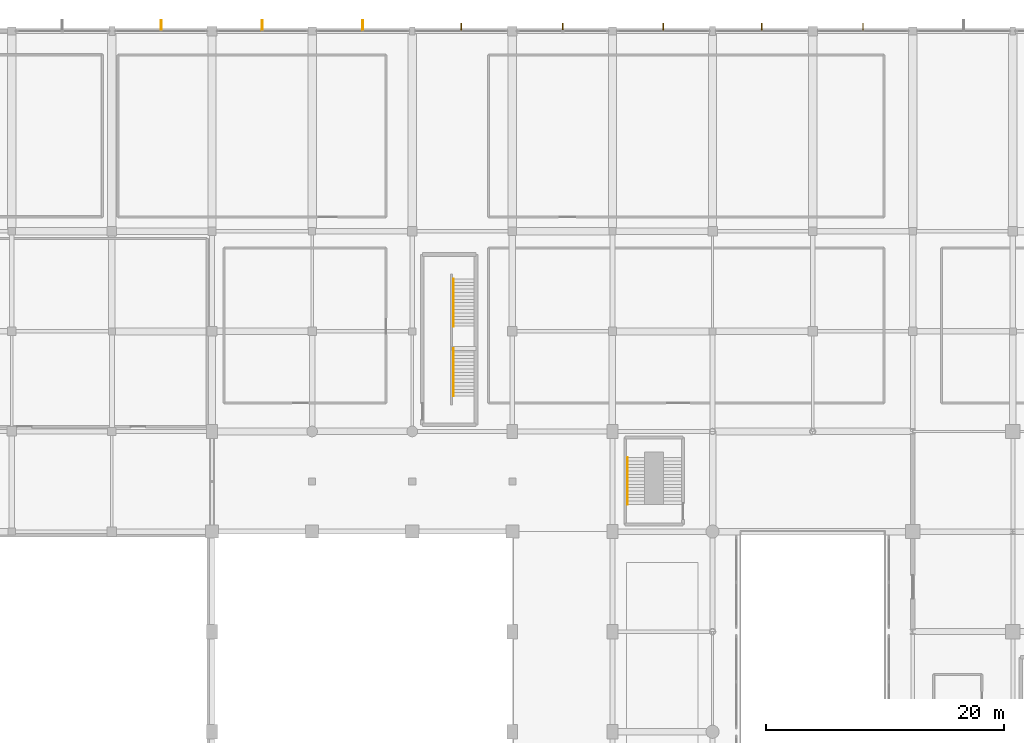
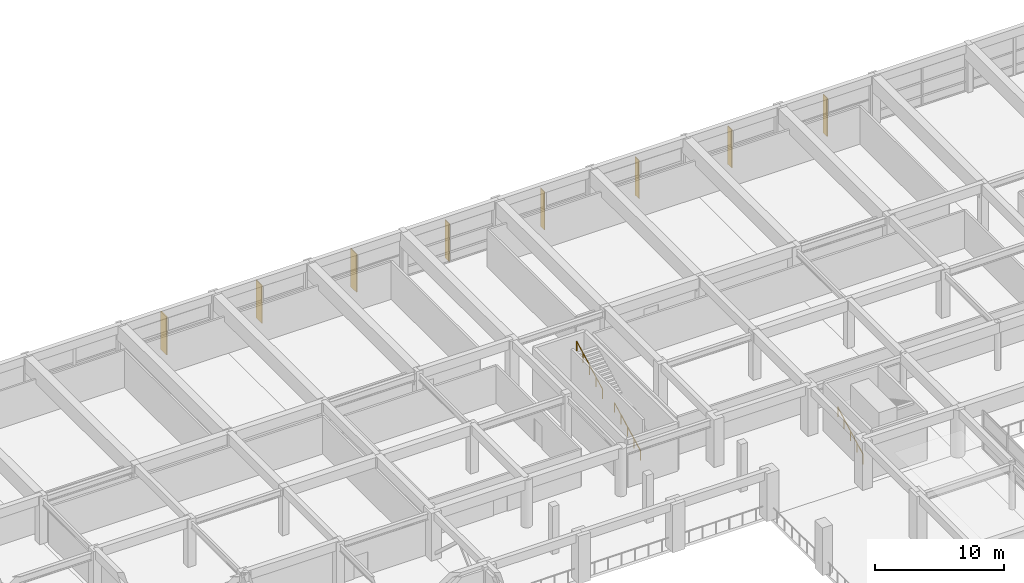
# One storey, part 63 of 65: 8 shading devices, 3 railings.
"""IFC4 building model written with IfcOpenShell, lengths in metres."""

from ifc_helpers import new_model, si_unit, direction, frame, origin, origin_2d, place, context, subcontext, project, spatial, rectangle, circle, extrude, material, type_object, element, save


model = new_model("IFC4")

# Units and contexts
model_context = context("Model", 3, precision=1e-05, world=origin(), true_north=direction((0.0, 1.0)))
body_context = subcontext(model_context, "Body", "Model", "MODEL_VIEW")
ifc_project = project(units=[si_unit("LENGTHUNIT", "METRE"), si_unit("AREAUNIT", "SQUARE_METRE"), si_unit("VOLUMEUNIT", "CUBIC_METRE"), si_unit("PLANEANGLEUNIT", "RADIAN"), si_unit("MASSUNIT", "GRAM", prefix="KILO")], contexts=[model_context])

# Site, building, storey
site_placement = place(None, origin())
site = spatial("IfcSite", under=ifc_project, at=site_placement, CompositionType="ELEMENT")
building_placement = place(site_placement, origin())
building = spatial("IfcBuilding", under=site, at=building_placement, Name="Xuanlan Plaza Opera House", CompositionType="ELEMENT")
storey_placement = place(building_placement, frame((0.0, 0.0, 5.39990234375)))
storey = spatial("IfcBuildingStorey", under=building, at=storey_placement, Name="L01", CompositionType="ELEMENT", Elevation=5.39990234375)

# Shading devices
ifc_material_1 = material(Name="Anodised Aluminium 6063-T6", Category="aluminium")
shading_device_type_1 = type_object("IfcShadingDeviceType", Name="ENV-SHD-BRS01", PredefinedType="JALOUSIE", material=ifc_material_1)
for number, where, z_axis, x_axis, name in (
    (1, (121.824951171875, 117.925048828125, 0.0400390625), (0.0, 0.0, 1.0), (0.0, 1.0, 0.0), "Parametric Sunshade Fin L01-0079"),
    (2, (113.324951171875, 117.925048828125, 0.0400390625), (0.0, 0.0, 1.0), (0.0, 1.0, 0.0), "Parametric Sunshade Fin L01-0080"),
    (3, (105.050048828125, 117.925048828125, 0.0400390625), (0.0, 0.0, 1.0), (0.0, 1.0, 0.0), "Parametric Sunshade Fin L01-0081"),
    (4, (96.625, 117.925048828125, 0.0400390625), (0.0, 0.0, 1.0), (0.0, 1.0, 0.0), "Parametric Sunshade Fin L01-0082"),
    (5, (88.112548828125, 117.925048828125, 0.0400390625), (0.0, 0.0, 1.0), (0.0, 1.0, 0.0), "Parametric Sunshade Fin L01-0083"),
):
    element("IfcShadingDevice", number, at=place(storey_placement, frame(where, z_axis=z_axis, x_axis=x_axis)), inside=storey, type_object=shading_device_type_1, Name=name, PredefinedType="JALOUSIE", context=body_context, shape_type="SweptSolid", body=[
        extrude(rectangle(XDim=0.639892578125, YDim=0.070068359375, at=origin_2d()), origin(), (0.0, 0.0, 1.0), 3.60009765625),
    ])
shading_device_type_2 = type_object("IfcShadingDeviceType", Name="ENV-SHD-BRS02", PredefinedType="JALOUSIE", material=ifc_material_1)
for number, where, z_axis, x_axis, name in (
    (6, (79.862548828125, 118.06494140625, 0.0400390625), (0.0, 0.0, 1.0), (0.0, 1.0, 0.0), "Parametric Sunshade Fin L01-0084"),
    (7, (71.425048828125, 118.06494140625, 0.0400390625), (0.0, 0.0, 1.0), (0.0, 1.0, 0.0), "Parametric Sunshade Fin L01-0085"),
    (8, (62.925048828125, 118.06494140625, 0.0400390625), (0.0, 0.0, 1.0), (0.0, 1.0, 0.0), "Parametric Sunshade Fin L01-0086"),
):
    element("IfcShadingDevice", number, at=place(storey_placement, frame(where, z_axis=z_axis, x_axis=x_axis)), inside=storey, type_object=shading_device_type_2, Name=name, PredefinedType="JALOUSIE", context=body_context, shape_type="SweptSolid", body=[
        extrude(rectangle(XDim=0.919921875, YDim=0.080078125, at=origin_2d()), origin(), (0.0, 0.0, 1.0), 3.60009765625),
    ])

# Railings
ifc_material_2 = material(Name="Stainless Steel S30408", Category="steel")
railing_type_1 = type_object("IfcRailingType", Name="INT-RL-HR01", PredefinedType="HANDRAIL", material=ifc_material_2)
for number, where, name in (
    (9, (87.4599609375, 86.969970703125, 0.150146484375), "Stair Handrail ST-P4 L01 Flight 1"),
    (10, (87.4599609375, 92.81005859375, 2.400146484375), "Stair Handrail ST-P4 L01 Flight 2"),
):
    element("IfcRailing", number, at=place(storey_placement, frame(where)), inside=storey, type_object=railing_type_1, Name=name, PredefinedType="HANDRAIL", context=body_context, shape_type="SweptSolid", body=[
        extrude(circle(Radius=0.02392578125, at=origin_2d()), frame((0.0, 0.0, 0.8759765625), z_axis=(0.0, 0.884931142248, 0.465721884261), x_axis=(-1.0, 0.0, 0.0)), (0.0, 0.0, 1.0), 4.5087890625),
        extrude(circle(Radius=0.02099609375, at=origin_2d()), origin(), (0.0, 0.0, 1.0), 0.851806640625),
        extrude(circle(Radius=0.02099609375, at=origin_2d()), frame((0.0, 0.99755859375, 0.52490234375)), (0.0, 0.0, 1.0), 0.851806640625),
        extrude(circle(Radius=0.02099609375, at=origin_2d()), frame((0.0, 1.9951171875, 1.0498046875)), (0.0, 0.0, 1.0), 0.851806640625),
        extrude(circle(Radius=0.02099609375, at=origin_2d()), frame((0.0, 2.992431640625, 1.574951171875)), (0.0, 0.0, 1.0), 0.851806640625),
        extrude(circle(Radius=0.02099609375, at=origin_2d()), frame((0.0, 3.989990234375, 2.099853515625)), (0.0, 0.0, 1.0), 0.851806640625),
    ])
railing_type_2 = type_object("IfcRailingType", Name="INT-RL-HR02", PredefinedType="HANDRAIL", material=ifc_material_2)
railing_placement = place(storey_placement, frame((102.080078125, 77.8798828125, 0.150146484375)))
element("IfcRailing", 11, at=railing_placement, inside=storey, type_object=railing_type_2, Name="Feature Stair Handrail ST-F2 L01 Flight 1", PredefinedType="HANDRAIL", context=body_context, shape_type="SweptSolid", body=[
    extrude(circle(Radius=0.02392578125, at=origin_2d()), frame((0.0, 0.0, 0.89599609375), z_axis=(0.0, 0.881502004561, 0.472180279083), x_axis=(-1.0, 0.0, 0.0)), (0.0, 0.0, 1.0), 4.447265625),
    extrude(circle(Radius=0.02099609375, at=origin_2d()), origin(), (0.0, 0.0, 1.0), 0.871826171875),
    extrude(circle(Radius=0.02099609375, at=origin_2d()), frame((0.0, 0.97998046875, 0.52490234375)), (0.0, 0.0, 1.0), 0.871826171875),
    extrude(circle(Radius=0.02099609375, at=origin_2d()), frame((0.0, 1.9599609375, 1.0498046875)), (0.0, 0.0, 1.0), 0.871826171875),
    extrude(circle(Radius=0.02099609375, at=origin_2d()), frame((0.0, 2.940185546875, 1.574951171875)), (0.0, 0.0, 1.0), 0.871826171875),
    extrude(circle(Radius=0.02099609375, at=origin_2d()), frame((0.0, 3.920166015625, 2.099853515625)), (0.0, 0.0, 1.0), 0.871826171875),
])

save(model, "model.ifc")
